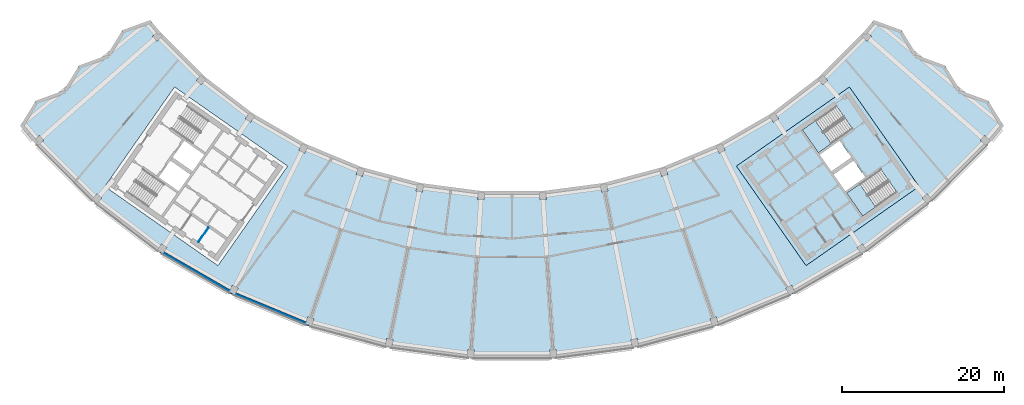
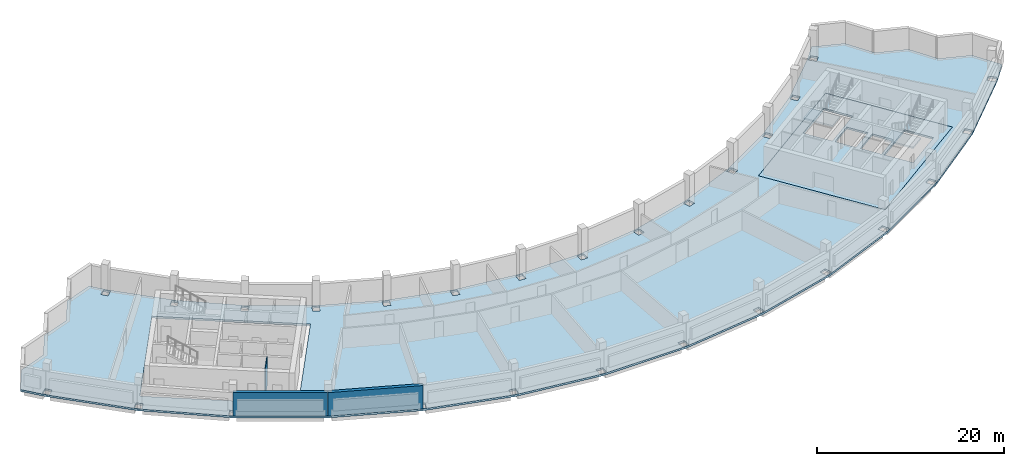
# One storey, part 2 of 11: 4 slabs, 3 walls, 2 elements without a shape of their own.
"""IFC4 building model written with IfcOpenShell, lengths in metres."""

from ifc_helpers import new_model, si_unit, direction, frame, frame_2d, origin, place, context, subcontext, project, spatial, polyline, rectangle, outline, extrude, material, layer, layer_set, type_object, element, aggregate, save


model = new_model("IFC4")

# Units and contexts
model_context = context("Model", 3, precision=1e-05, world=origin(), true_north=direction((0.0, 1.0)))
body_context = subcontext(model_context, "Body", "Model", "MODEL_VIEW")
ifc_project = project(units=[si_unit("LENGTHUNIT", "METRE"), si_unit("AREAUNIT", "SQUARE_METRE"), si_unit("VOLUMEUNIT", "CUBIC_METRE"), si_unit("PLANEANGLEUNIT", "RADIAN"), si_unit("MASSUNIT", "GRAM", prefix="KILO")], contexts=[model_context])

# Site, building, storey
site_placement = place(None, origin())
site = spatial("IfcSite", under=ifc_project, at=site_placement, CompositionType="ELEMENT")
building_placement = place(site_placement, origin())
building = spatial("IfcBuilding", under=site, at=building_placement, Name="Qamariyya Broadcast Tower", CompositionType="ELEMENT")
storey_placement = place(building_placement, frame((0.0, 0.0, 314.699951171875)))
storey = spatial("IfcBuildingStorey", under=building, at=storey_placement, Name="L76", CompositionType="ELEMENT", Elevation=314.699951171875)

# Slabs
ifc_material_1 = material(Name="Concrete C40/50", Category="concrete")
ifc_layer_1 = layer(ifc_material_1, 0.25)
ifc_layer_set_1 = layer_set([ifc_layer_1], Name="Core floor slab 250 mm Concrete C40/50")
slab_type_1 = type_object("IfcSlabType", Name="Core floor slab 250 mm Concrete C40/50", PredefinedType="FLOOR", material=ifc_layer_set_1)
slab_1_placement = place(storey_placement, frame((0.0, 0.0, -0.25)))
element("IfcSlab", 1, at=slab_1_placement, inside=storey, type_object=slab_type_1, Name="k-E-L76-slab", PredefinedType="FLOOR", context=body_context, shape_type="SweptSolid", body=[
    extrude(outline(polyline([(36.32373046875, -66.734375), (50.286376953125, -56.95751953125), (41.6826171875, -44.67041015625), (27.719970703125, -54.447021484375), (36.32373046875, -66.734375)]), holes=[polyline([(39.742431640625, -55.489990234375), (42.199951171875, -53.769287109375), (43.6337890625, -55.817138671875), (41.17626953125, -57.537841796875), (39.742431640625, -55.489990234375)]), polyline([(39.45556640625, -55.080322265625), (41.9130859375, -53.359619140625), (40.47900390625, -51.311767578125), (38.021728515625, -53.032470703125), (39.45556640625, -55.080322265625)]), polyline([(40.082275390625, -47.01171875), (35.870849609375, -49.960693359375), (37.849609375, -52.78662109375), (42.06103515625, -49.837890625), (40.082275390625, -47.01171875)]), polyline([(45.559814453125, -54.834716796875), (41.348388671875, -57.783447265625), (43.3271484375, -60.609619140625), (47.538818359375, -57.66064453125), (45.559814453125, -54.834716796875)])]), origin(), (0.0, 0.0, 1.0), 0.25),
])
ifc_layer_2 = layer(ifc_material_1, 0.25)
ifc_layer_set_2 = layer_set([ifc_layer_2], Name="Post-tensioned floor slab 250 C40/50")
slab_type_2 = type_object("IfcSlabType", Name="Post-tensioned floor slab 250 C40/50", PredefinedType="FLOOR", material=ifc_layer_set_2)
slab_2_placement = place(storey_placement, frame((0.0, 0.0, -0.25)))
element("IfcSlab", 2, at=slab_2_placement, inside=storey, type_object=slab_type_2, Name="Floor slab S5 L76", PredefinedType="FLOOR", context=body_context, shape_type="SweptSolid", body=[
    extrude(outline(polyline([(-58.822509765625, -46.367431640625), (-60.746826171875, -49.482666015625), (-58.90673828125, -51.65966796875), (-51.65966796875, -58.90673828125), (-43.52880859375, -65.145751953125), (-34.6533203125, -70.27001953125), (-25.184814453125, -74.19189453125), (-15.285400390625, -76.844482421875), (-5.124267578125, -78.18212890625), (5.124267578125, -78.18212890625), (15.285400390625, -76.844482421875), (25.184814453125, -74.19189453125), (34.6533203125, -70.27001953125), (43.52880859375, -65.145751953125), (51.65966796875, -58.90673828125), (58.90673828125, -51.65966796875), (60.746826171875, -49.482666015625), (58.822509765625, -46.367431640625), (55.397216796875, -45.125), (53.471923828125, -42.009033203125), (50.04736328125, -40.76708984375), (48.12109375, -37.650634765625), (44.697509765625, -36.409423828125), (43.343505859375, -38.01123046875), (38.01123046875, -43.343505859375), (32.028564453125, -47.934326171875), (25.498046875, -51.704833984375), (18.531005859375, -54.590576171875), (11.2470703125, -56.542236328125), (3.7705078125, -57.526611328125), (-3.7705078125, -57.526611328125), (-11.2470703125, -56.542236328125), (-18.531005859375, -54.590576171875), (-25.498046875, -51.704833984375), (-32.028564453125, -47.934326171875), (-38.01123046875, -43.343505859375), (-43.343505859375, -38.01123046875), (-44.697509765625, -36.409423828125), (-48.12109375, -37.650634765625), (-50.04736328125, -40.76708984375), (-53.471923828125, -42.009033203125), (-55.397216796875, -45.125), (-58.822509765625, -46.367431640625)]), holes=[polyline([(-4.71533203125, -78.058837890625), (-5.513671875, -78.00634765625), (-5.454833984375, -77.1083984375), (-4.656494140625, -77.16064453125), (-4.71533203125, -78.058837890625)]), polyline([(-15.6484375, -76.619384765625), (-15.472900390625, -75.736572265625), (-14.688232421875, -75.892822265625), (-14.86376953125, -76.775390625), (-15.6484375, -76.619384765625)]), polyline([(-25.515380859375, -73.92138671875), (-25.22607421875, -73.069091796875), (-24.468505859375, -73.326171875), (-24.7578125, -74.178466796875), (-25.515380859375, -73.92138671875)]), polyline([(-34.94580078125, -69.95849609375), (-34.547607421875, -69.1513671875), (-33.830078125, -69.505126953125), (-34.228271484375, -70.312255859375), (-34.94580078125, -69.95849609375)]), polyline([(-43.778076171875, -64.798583984375), (-43.278076171875, -64.05029296875), (-42.613037109375, -64.494873046875), (-43.113037109375, -65.2431640625), (-43.778076171875, -64.798583984375)]), polyline([(-51.861572265625, -58.530029296875), (-51.26806640625, -57.853515625), (-50.666748046875, -58.380859375), (-51.260009765625, -59.0576171875), (-51.861572265625, -58.530029296875)]), polyline([(-4.23828125, -58.548095703125), (-4.179443359375, -57.650146484375), (-3.381103515625, -57.702392578125), (-3.43994140625, -58.6005859375), (-4.23828125, -58.548095703125)]), polyline([(-11.843994140625, -57.494140625), (-11.66845703125, -56.611328125), (-10.8837890625, -56.767333984375), (-11.0595703125, -57.650146484375), (-11.843994140625, -57.494140625)]), polyline([(-50.286376953125, -56.95751953125), (-41.6826171875, -44.67041015625), (-27.719970703125, -54.447021484375), (-36.32373046875, -66.734375), (-50.286376953125, -56.95751953125)]), polyline([(-19.247314453125, -55.456298828125), (-18.9580078125, -54.60400390625), (-18.200439453125, -54.861083984375), (-18.48974609375, -55.71337890625), (-19.247314453125, -55.456298828125)]), polyline([(-26.321044921875, -52.469482421875), (-25.923095703125, -51.662353515625), (-25.20556640625, -52.01611328125), (-25.603515625, -52.8232421875), (-26.321044921875, -52.469482421875)]), polyline([(-59.0576171875, -51.260009765625), (-58.380859375, -50.666748046875), (-57.853515625, -51.26806640625), (-58.530029296875, -51.861572265625), (-59.0576171875, -51.260009765625)]), polyline([(-32.944580078125, -48.5849609375), (-32.444580078125, -47.836669921875), (-31.779296875, -48.28125), (-32.279296875, -49.029541015625), (-32.944580078125, -48.5849609375)]), polyline([(-39.00439453125, -43.869140625), (-38.410888671875, -43.192626953125), (-37.8095703125, -43.719970703125), (-38.40283203125, -44.396728515625), (-39.00439453125, -43.869140625)]), polyline([(-44.396728515625, -38.40283203125), (-43.719970703125, -37.8095703125), (-43.192626953125, -38.410888671875), (-43.869140625, -39.00439453125), (-44.396728515625, -38.40283203125)]), polyline([(5.513671875, -78.00634765625), (4.71533203125, -78.058837890625), (4.656494140625, -77.16064453125), (5.454833984375, -77.1083984375), (5.513671875, -78.00634765625)]), polyline([(14.86376953125, -76.775390625), (14.688232421875, -75.892822265625), (15.472900390625, -75.736572265625), (15.6484375, -76.619384765625), (14.86376953125, -76.775390625)]), polyline([(24.7578125, -74.178466796875), (24.468505859375, -73.326171875), (25.22607421875, -73.069091796875), (25.515380859375, -73.92138671875), (24.7578125, -74.178466796875)]), polyline([(34.228271484375, -70.312255859375), (33.830078125, -69.505126953125), (34.547607421875, -69.1513671875), (34.94580078125, -69.95849609375), (34.228271484375, -70.312255859375)]), polyline([(43.113037109375, -65.2431640625), (42.613037109375, -64.494873046875), (43.278076171875, -64.05029296875), (43.778076171875, -64.798583984375), (43.113037109375, -65.2431640625)]), polyline([(51.260009765625, -59.0576171875), (50.666748046875, -58.380859375), (51.26806640625, -57.853515625), (51.861572265625, -58.530029296875), (51.260009765625, -59.0576171875)]), polyline([(3.43994140625, -58.6005859375), (3.381103515625, -57.702392578125), (4.179443359375, -57.650146484375), (4.23828125, -58.548095703125), (3.43994140625, -58.6005859375)]), polyline([(11.0595703125, -57.650146484375), (10.8837890625, -56.767333984375), (11.66845703125, -56.611328125), (11.843994140625, -57.494140625), (11.0595703125, -57.650146484375)]), polyline([(36.32373046875, -66.734375), (27.719970703125, -54.447021484375), (41.6826171875, -44.67041015625), (50.286376953125, -56.95751953125), (36.32373046875, -66.734375)]), polyline([(18.48974609375, -55.71337890625), (18.200439453125, -54.861083984375), (18.9580078125, -54.60400390625), (19.247314453125, -55.456298828125), (18.48974609375, -55.71337890625)]), polyline([(25.603515625, -52.8232421875), (25.20556640625, -52.01611328125), (25.923095703125, -51.662353515625), (26.321044921875, -52.469482421875), (25.603515625, -52.8232421875)]), polyline([(58.530029296875, -51.861572265625), (57.853515625, -51.26806640625), (58.380859375, -50.666748046875), (59.0576171875, -51.260009765625), (58.530029296875, -51.861572265625)]), polyline([(32.279296875, -49.029541015625), (31.779296875, -48.28125), (32.444580078125, -47.836669921875), (32.944580078125, -48.5849609375), (32.279296875, -49.029541015625)]), polyline([(38.40283203125, -44.396728515625), (37.8095703125, -43.719970703125), (38.410888671875, -43.192626953125), (39.00439453125, -43.869140625), (38.40283203125, -44.396728515625)]), polyline([(43.869140625, -39.00439453125), (43.192626953125, -38.410888671875), (43.719970703125, -37.8095703125), (44.396728515625, -38.40283203125), (43.869140625, -39.00439453125)])]), origin(), (0.0, 0.0, 1.0), 0.25),
])

# Stair, slab
ifc_material_2 = material(Name="Concrete C50/60", Category="concrete")
stair_type = type_object("IfcStairType", Name="Exit stair 24 risers of 167 mm", PredefinedType="HALF_TURN_STAIR", material=ifc_material_2)
stair_1_placement = place(storey_placement, origin())
stair_1 = element("IfcStair", 3, at=stair_1_placement, inside=storey, type_object=stair_type, Name="L76 Stair E2", PredefinedType="HALF_TURN_STAIR")
ifc_layer_3 = layer(ifc_material_2, 0.199951171875)
ifc_layer_set_3 = layer_set([ifc_layer_3], Name="Stair landing")
slab_type_3 = type_object("IfcSlabType", Name="Stair landing", PredefinedType="LANDING", material=ifc_layer_set_3)
slab_3_placement = place(storey_placement, frame((0.0, 0.0, 1.800048828125)))
slab_3 = element("IfcSlab", 4, at=slab_3_placement, type_object=slab_type_3, Name="ST-E2 landing 1", PredefinedType="LANDING", context=body_context, shape_type="SweptSolid", body=[
    extrude(outline(polyline([(37.475830078125, -48.8369140625), (35.870849609375, -49.960693359375), (37.849609375, -52.78662109375), (39.45458984375, -51.662841796875), (37.475830078125, -48.8369140625)])), origin(), (0.0, 0.0, 1.0), 0.199951171875),
])
aggregate(stair_1, [slab_3])

stair_2_placement = place(storey_placement, origin())
stair_2 = element("IfcStair", 5, at=stair_2_placement, inside=storey, type_object=stair_type, Name="L76 Stair E1", PredefinedType="HALF_TURN_STAIR")
slab_4_placement = place(storey_placement, frame((0.0, 0.0, 1.800048828125)))
slab_4 = element("IfcSlab", 6, at=slab_4_placement, type_object=slab_type_3, Name="ST-E1 landing 1", PredefinedType="LANDING", context=body_context, shape_type="SweptSolid", body=[
    extrude(outline(polyline([(42.953369140625, -56.65966796875), (41.348388671875, -57.783447265625), (43.3271484375, -60.609619140625), (44.93212890625, -59.48583984375), (42.953369140625, -56.65966796875)])), origin(), (0.0, 0.0, 1.0), 0.199951171875),
])
aggregate(stair_2, [slab_4])

# Walls
ifc_material_3 = material(Name="Fire-rated gypsum shaft liner on steel studs", Category="steel")
ifc_layer_4 = layer(ifc_material_3, 0.10009765625)
ifc_layer_set_4 = layer_set([ifc_layer_4], Name="Riser wall 100 mm")
wall_type_1 = type_object("IfcWallType", Name="Riser wall 100 mm", PredefinedType="PLUMBINGWALL", material=ifc_layer_set_4)
wall_1_placement = place(storey_placement, frame((-37.47802734375, -62.01953125, 0.0), z_axis=(0.0, 0.0, 1.0), x_axis=(-0.573581496053, -0.819148501424, 0.0)))
element("IfcWall", 7, at=wall_1_placement, inside=storey, type_object=wall_type_1, Name="k-W-L76-SP265", PredefinedType="PLUMBINGWALL", context=body_context, shape_type="SweptSolid", body=[
    extrude(rectangle(XDim=2.2001953125, YDim=0.10009765625, at=frame_2d((1.10009765625, 0.0))), origin(), (0.0, 0.0, 1.0), 3.75),
])
ifc_material_4 = material(Name="Terracotta", Category="masonry")
ifc_layer_5 = layer(ifc_material_4, 0.39990234375)
ifc_layer_set_5 = layer_set([ifc_layer_5], Name="Solid terracotta louvred band wall 400")
wall_type_2 = type_object("IfcWallType", Name="Solid terracotta louvred band wall 400", PredefinedType="SOLIDWALL", material=ifc_layer_set_5)
wall_2_placement = place(storey_placement, frame((-43.37353515625, -65.00439453125, 0.0), z_axis=(0.0, 0.0, 1.0), x_axis=(0.866019679839, -0.500009914033, 0.0)))
element("IfcWall", 8, at=wall_2_placement, inside=storey, type_object=wall_type_2, Name="e-wl-L76-out30", PredefinedType="SOLIDWALL", context=body_context, shape_type="SweptSolid", body=[
    extrude(rectangle(XDim=10.120849609375, YDim=0.39990234375, at=frame_2d((5.060546875, 0.0))), origin(), (0.0, 0.0, 1.0), 3.050048828125),
])
wall_3_placement = place(storey_placement, frame((-34.587646484375, -70.08056640625, 0.0), z_axis=(0.0, 0.0, 1.0), x_axis=(0.923877211741, -0.382689035152, 0.0)))
element("IfcWall", 9, at=wall_3_placement, inside=storey, type_object=wall_type_2, Name="e-wl-L76-out40", PredefinedType="SOLIDWALL", context=body_context, shape_type="SweptSolid", body=[
    extrude(rectangle(XDim=10.2724609375, YDim=0.39990234375, at=frame_2d((5.13623046875, 0.0))), origin(), (0.0, 0.0, 1.0), 3.050048828125),
])

save(model, "model.ifc")
